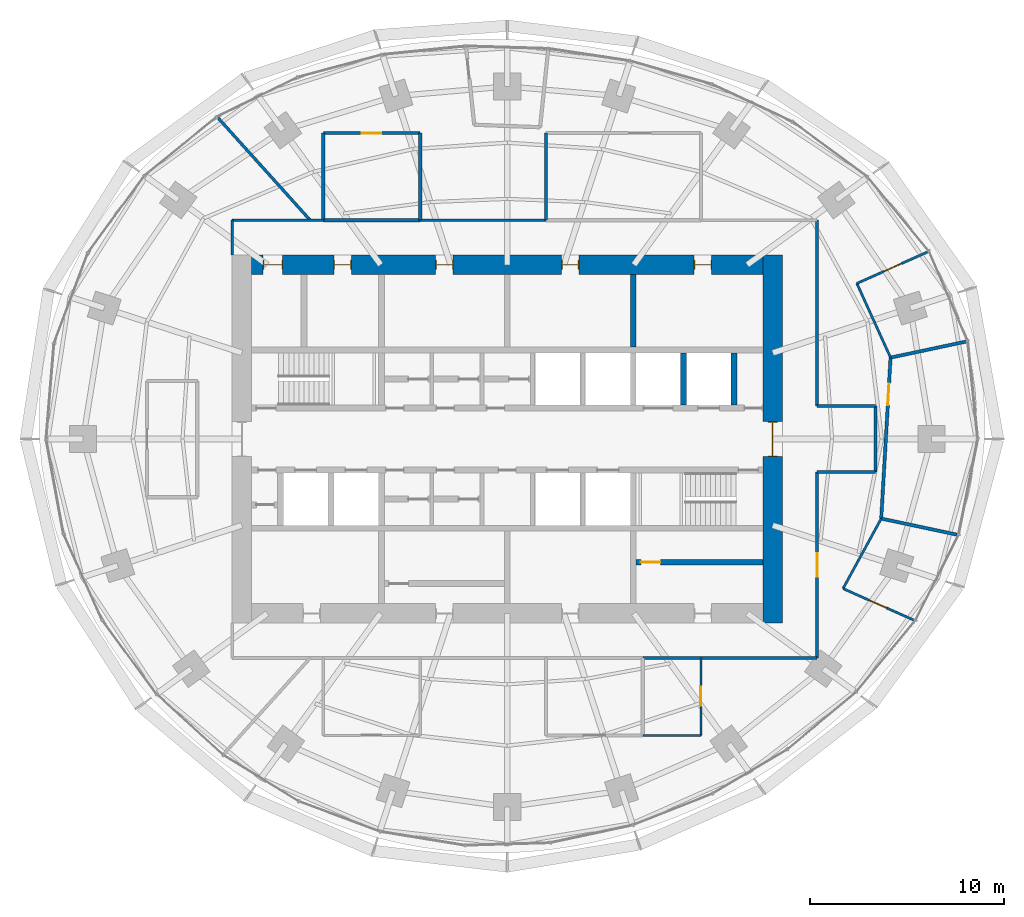
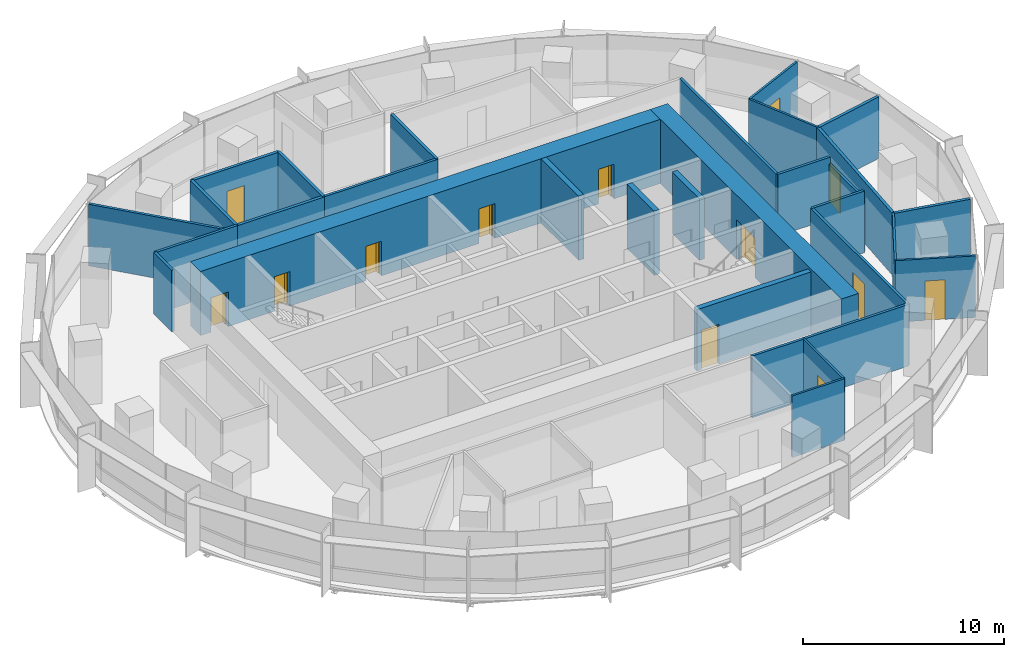
# One storey, part 12 of 15: 30 walls, 13 doors, 13 openings.
"""IFC4 building model written with IfcOpenShell, lengths in metres."""

from ifc_helpers import new_model, si_unit, direction, frame, frame_2d, origin, place, context, subcontext, project, spatial, rectangle, extrude, material, layer, layer_set, type_object, element, fill, save


model = new_model("IFC4")

# Units and contexts
model_context = context("Model", 3, precision=1e-05, world=origin(), true_north=direction((0.0, 1.0)))
body_context = subcontext(model_context, "Body", "Model", "MODEL_VIEW")
ifc_project = project(units=[si_unit("LENGTHUNIT", "METRE"), si_unit("AREAUNIT", "SQUARE_METRE"), si_unit("VOLUMEUNIT", "CUBIC_METRE"), si_unit("PLANEANGLEUNIT", "RADIAN"), si_unit("MASSUNIT", "GRAM", prefix="KILO")], contexts=[model_context])

# Site, building, storey
site_placement = place(None, origin())
site = spatial("IfcSite", under=ifc_project, at=site_placement, CompositionType="ELEMENT")
building_placement = place(site_placement, origin())
building = spatial("IfcBuilding", under=site, at=building_placement, Name="Marramba Exchange Tower", CompositionType="ELEMENT")
storey_placement = place(building_placement, frame((0.0, 0.0, 207.199951171875)))
storey = spatial("IfcBuildingStorey", under=building, at=storey_placement, Name="L50", CompositionType="ELEMENT", Elevation=207.199951171875)

# Wall
ifc_material_1 = material(Name="Plasterboard on staggered double steel studs, acoustic insulation", Category="steel")
ifc_layer_1 = layer(ifc_material_1, 0.169921875)
ifc_layer_set_1 = layer_set([ifc_layer_1], Name="Acoustic partition 170")
wall_type_1 = type_object("IfcWallType", Name="Acoustic partition 170", PredefinedType="PARTITIONING", material=ifc_layer_set_1)
wall_1_placement = place(storey_placement, frame((19.3056640625, -4.103515625, 0.0), z_axis=(0.0, 0.0, 1.0), x_axis=(0.978137903693, -0.207957306576, 0.0)))
element("IfcWall", 1, at=wall_1_placement, inside=storey, type_object=wall_type_1, Name="Acoustic partition L50 18", PredefinedType="PARTITIONING", context=body_context, shape_type="SweptSolid", body=[
    extrude(rectangle(XDim=3.999755859375, YDim=0.169921875, at=frame_2d((2.0, 0.0))), origin(), (0.0, 0.0, 1.0), 3.739990234375),
])

# Wall, opening, door
wall_2_placement = place(storey_placement, frame((19.787841796875, 4.2060546875, 0.0), z_axis=(0.0, 0.0, 1.0), x_axis=(-0.0579293499, -0.998320685161, 0.0)))
wall_2 = element("IfcWall", 2, at=wall_2_placement, inside=storey, type_object=wall_type_1, Name="Acoustic partition L50 21", PredefinedType="PARTITIONING", context=body_context, shape_type="SweptSolid", body=[
    extrude(rectangle(XDim=8.323486328125, YDim=0.169921875, at=frame_2d((4.16162109375, 0.0))), origin(), (0.0, 0.0, 1.0), 3.739990234375),
])
opening_1_placement = place(wall_2_placement, frame((1.35400390625, 0.0, 0.0)))
opening_1 = element("IfcOpeningElement", 3, at=opening_1_placement, cuts=wall_2, Name="Opening D15", PredefinedType="OPENING", context=body_context, shape_type="SweptSolid", body=[
    extrude(rectangle(XDim=1.10009765625, YDim=2.39990234375, at=frame_2d((0.550048828125, 1.199951171875))), frame((0.0, 0.094970703125, 0.0), z_axis=(0.0, -1.0, 0.0), x_axis=(1.0, 0.0, 0.0)), (0.0, 0.0, 1.0), 0.18994140625),
])
ifc_material_2 = material(Name="Timber door", Category="wood")
door_type_1 = type_object("IfcDoorType", Name="Glazed meeting room door 1100x2400", OperationType="SINGLE_SWING_LEFT", PredefinedType="DOOR", material=ifc_material_2)
door_1_placement = place(opening_1_placement, origin())
door_1 = element("IfcDoor", 4, at=door_1_placement, inside=storey, type_object=door_type_1, Name="D15 Meeting Room 1 L50", OperationType="SINGLE_SWING_LEFT", OverallHeight=2.39990234375, OverallWidth=1.10009765625, PredefinedType="DOOR", context=body_context, shape_type="SweptSolid", body=[
    extrude(rectangle(XDim=1.10009765625, YDim=2.39990234375, at=frame_2d((0.550048828125, 1.199951171875))), frame((0.0, 0.02490234375, 0.0), z_axis=(0.0, -1.0, 0.0), x_axis=(1.0, 0.0, 0.0)), (0.0, 0.0, 1.0), 0.050048828125),
])
fill(opening_1, door_1)

# Walls
wall_3_placement = place(storey_placement, frame((23.700439453125, 5.03759765625, 0.0), z_axis=(0.0, 0.0, 1.0), x_axis=(-0.978152955943, -0.207886494942, 0.0)))
element("IfcWall", 5, at=wall_3_placement, inside=storey, type_object=wall_type_1, Name="Acoustic partition L50 23", PredefinedType="PARTITIONING", context=body_context, shape_type="SweptSolid", body=[
    extrude(rectangle(XDim=4.0, YDim=0.169921875, at=frame_2d((2.0, 0.0))), origin(), (0.0, 0.0, 1.0), 3.739990234375),
])
for number, where, z_axis, x_axis, name in (
    (6, (2.0, 15.800048828125, 0.0), (0.0, 0.0, 1.0), (0.0, -1.0, 0.0), "Acoustic partition L50 31"),
    (7, (-4.5, 11.300048828125, 0.0), (0.0, 0.0, 1.0), (0.0, 1.0, 0.0), "Acoustic partition L50 36"),
):
    element("IfcWall", number, at=place(storey_placement, frame(where, z_axis=z_axis, x_axis=x_axis)), inside=storey, type_object=wall_type_1, Name=name, PredefinedType="PARTITIONING", context=body_context, shape_type="SweptSolid", body=[
        extrude(rectangle(XDim=4.5, YDim=0.169921875, at=frame_2d((2.25, 0.0))), origin(), (0.0, 0.0, 1.0), 3.739990234375),
    ])

# Wall, opening, door
wall_4_placement = place(storey_placement, frame((-4.5, 15.800048828125, 0.0), z_axis=(0.0, 0.0, 1.0), x_axis=(-1.0, 0.0, 0.0)))
wall_4 = element("IfcWall", 8, at=wall_4_placement, inside=storey, type_object=wall_type_1, Name="Acoustic partition L50 37", PredefinedType="PARTITIONING", context=body_context, shape_type="SweptSolid", body=[
    extrude(rectangle(XDim=5.0, YDim=0.169921875, at=frame_2d((2.5, 0.0))), origin(), (0.0, 0.0, 1.0), 3.739990234375),
])
opening_2_placement = place(wall_4_placement, frame((2.0, 0.0, 0.0)))
opening_2 = element("IfcOpeningElement", 9, at=opening_2_placement, cuts=wall_4, Name="Opening D9", PredefinedType="OPENING", context=body_context, shape_type="SweptSolid", body=[
    extrude(rectangle(XDim=1.0, YDim=2.39990234375, at=frame_2d((0.5, 1.199951171875))), frame((0.0, 0.094970703125, 0.0), z_axis=(0.0, -1.0, 0.0), x_axis=(1.0, 0.0, 0.0)), (0.0, 0.0, 1.0), 0.18994140625),
])
door_type_2 = type_object("IfcDoorType", Name="Room door 1000x2400", OperationType="SINGLE_SWING_LEFT", PredefinedType="DOOR", material=ifc_material_2)
door_2_placement = place(opening_2_placement, origin())
door_2 = element("IfcDoor", 10, at=door_2_placement, inside=storey, type_object=door_type_2, Name="D9 Interview Room L50", OperationType="SINGLE_SWING_RIGHT", OverallHeight=2.39990234375, OverallWidth=1.0, PredefinedType="DOOR", context=body_context, shape_type="SweptSolid", body=[
    extrude(rectangle(XDim=1.0, YDim=2.39990234375, at=frame_2d((0.5, 1.199951171875))), frame((0.0, 0.02490234375, 0.0), z_axis=(0.0, -1.0, 0.0), x_axis=(1.0, 0.0, 0.0)), (0.0, 0.0, 1.0), 0.050048828125),
])
fill(opening_2, door_2)

# Walls
wall_5_placement = place(storey_placement, frame((-9.5, 11.300048828125, 0.0), z_axis=(0.0, 0.0, 1.0), x_axis=(1.0, 0.0, 0.0)))
element("IfcWall", 11, at=wall_5_placement, inside=storey, type_object=wall_type_1, Name="Acoustic partition L50 38", PredefinedType="PARTITIONING", context=body_context, shape_type="SweptSolid", body=[
    extrude(rectangle(XDim=5.0, YDim=0.169921875, at=frame_2d((2.5, 0.0))), origin(), (0.0, 0.0, 1.0), 3.739990234375),
])
wall_6_placement = place(storey_placement, frame((-9.5, 15.800048828125, 0.0), z_axis=(0.0, 0.0, 1.0), x_axis=(0.0, -1.0, 0.0)))
element("IfcWall", 12, at=wall_6_placement, inside=storey, type_object=wall_type_1, Name="Acoustic partition L50 39", PredefinedType="PARTITIONING", context=body_context, shape_type="SweptSolid", body=[
    extrude(rectangle(XDim=4.5, YDim=0.169921875, at=frame_2d((2.25, 0.0))), origin(), (0.0, 0.0, 1.0), 3.739990234375),
])

# Wall, openings, doors
ifc_material_3 = material(Name="Concrete N50", Category="concrete")
ifc_layer_2 = layer(ifc_material_3, 1.0)
ifc_layer_set_2 = layer_set([ifc_layer_2], Name="Core wall 1000")
wall_type_2 = type_object("IfcWallType", Name="Core wall 1000", PredefinedType="SHEAR", material=ifc_layer_set_2)
wall_7_placement = place(storey_placement, frame((13.199951171875, 9.0, 0.0), z_axis=(0.0, 0.0, 1.0), x_axis=(-1.0, 0.0, 0.0)))
wall_7 = element("IfcWall", 13, at=wall_7_placement, inside=storey, type_object=wall_type_2, Name="Core wall N L50", PredefinedType="SHEAR", context=body_context, shape_type="SweptSolid", body=[
    extrude(rectangle(XDim=26.39990234375, YDim=1.0, at=frame_2d((13.199951171875, 0.0))), origin(), (0.0, 0.0, 1.0), 3.900146484375),
])
opening_3_placement = place(wall_7_placement, frame((2.64990234375, 0.0, 0.0)))
opening_3 = element("IfcOpeningElement", 14, at=opening_3_placement, cuts=wall_7, Name="Opening D5", PredefinedType="OPENING", context=body_context, shape_type="SweptSolid", body=[
    extrude(rectangle(XDim=0.89990234375, YDim=2.10009765625, at=frame_2d((0.449951171875, 1.050048828125))), frame((0.0, 0.510009765625, 0.0), z_axis=(0.0, -1.0, 0.0), x_axis=(1.0, 0.0, 0.0)), (0.0, 0.0, 1.0), 1.02001953125),
])
opening_4_placement = place(wall_7_placement, frame((9.5, 0.0, 0.0)))
opening_4 = element("IfcOpeningElement", 15, at=opening_4_placement, cuts=wall_7, Name="Opening D3", PredefinedType="OPENING", context=body_context, shape_type="SweptSolid", body=[
    extrude(rectangle(XDim=0.89990234375, YDim=2.10009765625, at=frame_2d((0.449951171875, 1.050048828125))), frame((0.0, 0.510009765625, 0.0), z_axis=(0.0, -1.0, 0.0), x_axis=(1.0, 0.0, 0.0)), (0.0, 0.0, 1.0), 1.02001953125),
])
opening_5_placement = place(wall_7_placement, frame((16.0, 0.0, 0.0)))
opening_5 = element("IfcOpeningElement", 16, at=opening_5_placement, cuts=wall_7, Name="Opening D3", PredefinedType="OPENING", context=body_context, shape_type="SweptSolid", body=[
    extrude(rectangle(XDim=0.89990234375, YDim=2.10009765625, at=frame_2d((0.449951171875, 1.050048828125))), frame((0.0, 0.510009765625, 0.0), z_axis=(0.0, -1.0, 0.0), x_axis=(1.0, 0.0, 0.0)), (0.0, 0.0, 1.0), 1.02001953125),
])
opening_6_placement = place(wall_7_placement, frame((21.25, 0.0, 0.0)))
opening_6 = element("IfcOpeningElement", 17, at=opening_6_placement, cuts=wall_7, Name="Opening D5", PredefinedType="OPENING", context=body_context, shape_type="SweptSolid", body=[
    extrude(rectangle(XDim=0.89990234375, YDim=2.10009765625, at=frame_2d((0.449951171875, 1.050048828125))), frame((0.0, 0.510009765625, 0.0), z_axis=(0.0, -1.0, 0.0), x_axis=(1.0, 0.0, 0.0)), (0.0, 0.0, 1.0), 1.02001953125),
])
opening_7_placement = place(wall_7_placement, frame((24.800048828125, 0.0, 0.0)))
opening_7 = element("IfcOpeningElement", 18, at=opening_7_placement, cuts=wall_7, Name="Opening D4", PredefinedType="OPENING", context=body_context, shape_type="SweptSolid", body=[
    extrude(rectangle(XDim=1.0, YDim=2.10009765625, at=frame_2d((0.5, 1.050048828125))), frame((0.0, 0.510009765625, 0.0), z_axis=(0.0, -1.0, 0.0), x_axis=(1.0, 0.0, 0.0)), (0.0, 0.0, 1.0), 1.02001953125),
])
ifc_material_4 = material(Name="Steel-framed door", Category="steel")
door_type_3 = type_object("IfcDoorType", Name="Accessible toilet door 1000x2100", OperationType="SINGLE_SWING_LEFT", PredefinedType="DOOR", material=ifc_material_4)
door_3_placement = place(opening_7_placement, origin())
door_3 = element("IfcDoor", 19, at=door_3_placement, inside=storey, type_object=door_type_3, Name="D4 awc L50", OperationType="SINGLE_SWING_RIGHT", OverallHeight=2.10009765625, OverallWidth=1.0, PredefinedType="DOOR", context=body_context, shape_type="SweptSolid", body=[
    extrude(rectangle(XDim=0.919921875, YDim=2.06005859375, at=frame_2d((0.5, 1.030029296875))), frame((0.0, 0.02490234375, 0.0), z_axis=(0.0, -1.0, 0.0), x_axis=(1.0, 0.0, 0.0)), (0.0, 0.0, 1.0), 0.050048828125),
    extrude(rectangle(XDim=0.04, YDim=2.10009765625, at=frame_2d((0.02001953125, 1.050048828125))), frame((0.0, 0.25, 0.0), z_axis=(0.0, -1.0, 0.0), x_axis=(1.0, 0.0, 0.0)), (0.0, 0.0, 1.0), 0.5),
    extrude(rectangle(XDim=0.04, YDim=2.10009765625, at=frame_2d((0.97998046875, 1.050048828125))), frame((0.0, 0.25, 0.0), z_axis=(0.0, -1.0, 0.0), x_axis=(1.0, 0.0, 0.0)), (0.0, 0.0, 1.0), 0.5),
    extrude(rectangle(XDim=0.919921875, YDim=0.04, at=frame_2d((0.5, 2.080078125))), frame((0.0, 0.25, 0.0), z_axis=(0.0, -1.0, 0.0), x_axis=(1.0, 0.0, 0.0)), (0.0, 0.0, 1.0), 0.5),
])
fill(opening_7, door_3)
door_type_4 = type_object("IfcDoorType", Name="Service door 900x2100", OperationType="SINGLE_SWING_LEFT", PredefinedType="DOOR", material=ifc_material_4)
door_4_placement = place(opening_3_placement, origin())
door_4 = element("IfcDoor", 20, at=door_4_placement, inside=storey, type_object=door_type_4, Name="D5 comms L50", OperationType="SINGLE_SWING_LEFT", OverallHeight=2.10009765625, OverallWidth=0.89990234375, PredefinedType="DOOR", context=body_context, shape_type="SweptSolid", body=[
    extrude(rectangle(XDim=0.81982421875, YDim=2.06005859375, at=frame_2d((0.449951171875, 1.030029296875))), frame((0.0, 0.02490234375, 0.0), z_axis=(0.0, -1.0, 0.0), x_axis=(1.0, 0.0, 0.0)), (0.0, 0.0, 1.0), 0.050048828125),
    extrude(rectangle(XDim=0.04, YDim=2.10009765625, at=frame_2d((0.02001953125, 1.050048828125))), frame((0.0, 0.25, 0.0), z_axis=(0.0, -1.0, 0.0), x_axis=(1.0, 0.0, 0.0)), (0.0, 0.0, 1.0), 0.5),
    extrude(rectangle(XDim=0.04, YDim=2.10009765625, at=frame_2d((0.8798828125, 1.050048828125))), frame((0.0, 0.25, 0.0), z_axis=(0.0, -1.0, 0.0), x_axis=(1.0, 0.0, 0.0)), (0.0, 0.0, 1.0), 0.5),
    extrude(rectangle(XDim=0.81982421875, YDim=0.04, at=frame_2d((0.449951171875, 2.080078125))), frame((0.0, 0.25, 0.0), z_axis=(0.0, -1.0, 0.0), x_axis=(1.0, 0.0, 0.0)), (0.0, 0.0, 1.0), 0.5),
])
fill(opening_3, door_4)
door_5_placement = place(opening_6_placement, origin())
door_5 = element("IfcDoor", 21, at=door_5_placement, inside=storey, type_object=door_type_4, Name="D5 cleaner L50", OperationType="SINGLE_SWING_RIGHT", OverallHeight=2.10009765625, OverallWidth=0.89990234375, PredefinedType="DOOR", context=body_context, shape_type="SweptSolid", body=[
    extrude(rectangle(XDim=0.81982421875, YDim=2.06005859375, at=frame_2d((0.449951171875, 1.030029296875))), frame((0.0, 0.02490234375, 0.0), z_axis=(0.0, -1.0, 0.0), x_axis=(1.0, 0.0, 0.0)), (0.0, 0.0, 1.0), 0.050048828125),
    extrude(rectangle(XDim=0.04, YDim=2.10009765625, at=frame_2d((0.02001953125, 1.050048828125))), frame((0.0, 0.25, 0.0), z_axis=(0.0, -1.0, 0.0), x_axis=(1.0, 0.0, 0.0)), (0.0, 0.0, 1.0), 0.5),
    extrude(rectangle(XDim=0.04, YDim=2.10009765625, at=frame_2d((0.8798828125, 1.050048828125))), frame((0.0, 0.25, 0.0), z_axis=(0.0, -1.0, 0.0), x_axis=(1.0, 0.0, 0.0)), (0.0, 0.0, 1.0), 0.5),
    extrude(rectangle(XDim=0.81982421875, YDim=0.04, at=frame_2d((0.449951171875, 2.080078125))), frame((0.0, 0.25, 0.0), z_axis=(0.0, -1.0, 0.0), x_axis=(1.0, 0.0, 0.0)), (0.0, 0.0, 1.0), 0.5),
])
fill(opening_6, door_5)
door_type_5 = type_object("IfcDoorType", Name="Toilet door 900x2100", OperationType="SINGLE_SWING_LEFT", PredefinedType="DOOR", material=ifc_material_4)
door_6_placement = place(opening_4_placement, origin())
door_6 = element("IfcDoor", 22, at=door_6_placement, inside=storey, type_object=door_type_5, Name="D3 wc-f L50", OperationType="SINGLE_SWING_RIGHT", OverallHeight=2.10009765625, OverallWidth=0.89990234375, PredefinedType="DOOR", context=body_context, shape_type="SweptSolid", body=[
    extrude(rectangle(XDim=0.81982421875, YDim=2.06005859375, at=frame_2d((0.449951171875, 1.030029296875))), frame((0.0, 0.02490234375, 0.0), z_axis=(0.0, -1.0, 0.0), x_axis=(1.0, 0.0, 0.0)), (0.0, 0.0, 1.0), 0.050048828125),
    extrude(rectangle(XDim=0.04, YDim=2.10009765625, at=frame_2d((0.02001953125, 1.050048828125))), frame((0.0, 0.25, 0.0), z_axis=(0.0, -1.0, 0.0), x_axis=(1.0, 0.0, 0.0)), (0.0, 0.0, 1.0), 0.5),
    extrude(rectangle(XDim=0.04, YDim=2.10009765625, at=frame_2d((0.8798828125, 1.050048828125))), frame((0.0, 0.25, 0.0), z_axis=(0.0, -1.0, 0.0), x_axis=(1.0, 0.0, 0.0)), (0.0, 0.0, 1.0), 0.5),
    extrude(rectangle(XDim=0.81982421875, YDim=0.04, at=frame_2d((0.449951171875, 2.080078125))), frame((0.0, 0.25, 0.0), z_axis=(0.0, -1.0, 0.0), x_axis=(1.0, 0.0, 0.0)), (0.0, 0.0, 1.0), 0.5),
])
fill(opening_4, door_6)
door_7_placement = place(opening_5_placement, origin())
door_7 = element("IfcDoor", 23, at=door_7_placement, inside=storey, type_object=door_type_5, Name="D3 wc-m L50", OperationType="SINGLE_SWING_RIGHT", OverallHeight=2.10009765625, OverallWidth=0.89990234375, PredefinedType="DOOR", context=body_context, shape_type="SweptSolid", body=[
    extrude(rectangle(XDim=0.81982421875, YDim=2.06005859375, at=frame_2d((0.449951171875, 1.030029296875))), frame((0.0, 0.02490234375, 0.0), z_axis=(0.0, -1.0, 0.0), x_axis=(1.0, 0.0, 0.0)), (0.0, 0.0, 1.0), 0.050048828125),
    extrude(rectangle(XDim=0.04, YDim=2.10009765625, at=frame_2d((0.02001953125, 1.050048828125))), frame((0.0, 0.25, 0.0), z_axis=(0.0, -1.0, 0.0), x_axis=(1.0, 0.0, 0.0)), (0.0, 0.0, 1.0), 0.5),
    extrude(rectangle(XDim=0.04, YDim=2.10009765625, at=frame_2d((0.8798828125, 1.050048828125))), frame((0.0, 0.25, 0.0), z_axis=(0.0, -1.0, 0.0), x_axis=(1.0, 0.0, 0.0)), (0.0, 0.0, 1.0), 0.5),
    extrude(rectangle(XDim=0.81982421875, YDim=0.04, at=frame_2d((0.449951171875, 2.080078125))), frame((0.0, 0.25, 0.0), z_axis=(0.0, -1.0, 0.0), x_axis=(1.0, 0.0, 0.0)), (0.0, 0.0, 1.0), 0.5),
])
fill(opening_5, door_7)

# Wall, opening, door
wall_8_placement = place(storey_placement, frame((13.699951171875, -9.5, 0.0), z_axis=(0.0, 0.0, 1.0), x_axis=(0.0, 1.0, 0.0)))
wall_8 = element("IfcWall", 24, at=wall_8_placement, inside=storey, type_object=wall_type_2, Name="Core wall E L50", PredefinedType="SHEAR", context=body_context, shape_type="SweptSolid", body=[
    extrude(rectangle(XDim=19.0, YDim=1.0, at=frame_2d((9.5, 0.0))), origin(), (0.0, 0.0, 1.0), 3.900146484375),
])
opening_8_placement = place(wall_8_placement, frame((8.60009765625, 0.0, 0.0)))
opening_8 = element("IfcOpeningElement", 25, at=opening_8_placement, cuts=wall_8, Name="Opening D1", PredefinedType="OPENING", context=body_context, shape_type="SweptSolid", body=[
    extrude(rectangle(XDim=1.800048828125, YDim=2.39990234375, at=frame_2d((0.89990234375, 1.199951171875))), frame((0.0, 0.510009765625, 0.0), z_axis=(0.0, -1.0, 0.0), x_axis=(1.0, 0.0, 0.0)), (0.0, 0.0, 1.0), 1.02001953125),
])
door_type_6 = type_object("IfcDoorType", Name="Lobby exit door 1800x2400", OperationType="DOUBLE_DOOR_SINGLE_SWING", PredefinedType="DOOR", material=ifc_material_4)
door_8_placement = place(opening_8_placement, origin())
door_8 = element("IfcDoor", 26, at=door_8_placement, inside=storey, type_object=door_type_6, Name="D1 lobby exit east L50", OperationType="DOUBLE_DOOR_SINGLE_SWING", OverallHeight=2.39990234375, OverallWidth=1.800048828125, PredefinedType="DOOR", context=body_context, shape_type="SweptSolid", body=[
    extrude(rectangle(XDim=1.719970703125, YDim=2.35986328125, at=frame_2d((0.89990234375, 1.179931640625))), frame((0.0, 0.02490234375, 0.0), z_axis=(0.0, -1.0, 0.0), x_axis=(1.0, 0.0, 0.0)), (0.0, 0.0, 1.0), 0.050048828125),
    extrude(rectangle(XDim=0.04, YDim=2.39990234375, at=frame_2d((0.02001953125, 1.199951171875))), frame((0.0, 0.25, 0.0), z_axis=(0.0, -1.0, 0.0), x_axis=(1.0, 0.0, 0.0)), (0.0, 0.0, 1.0), 0.5),
    extrude(rectangle(XDim=0.04, YDim=2.39990234375, at=frame_2d((1.780029296875, 1.199951171875))), frame((0.0, 0.25, 0.0), z_axis=(0.0, -1.0, 0.0), x_axis=(1.0, 0.0, 0.0)), (0.0, 0.0, 1.0), 0.5),
    extrude(rectangle(XDim=1.719970703125, YDim=0.04, at=frame_2d((0.89990234375, 2.3798828125))), frame((0.0, 0.25, 0.0), z_axis=(0.0, -1.0, 0.0), x_axis=(1.0, 0.0, 0.0)), (0.0, 0.0, 1.0), 0.5),
])
fill(opening_8, door_8)

# Walls
ifc_layer_3 = layer(ifc_material_3, 0.300048828125)
ifc_layer_set_3 = layer_set([ifc_layer_3], Name="Core wall 300")
wall_type_3 = type_object("IfcWallType", Name="Core wall 300", PredefinedType="SHEAR", material=ifc_layer_set_3)
wall_9_placement = place(storey_placement, frame((6.5, 4.75, 0.0), z_axis=(0.0, 0.0, 1.0), x_axis=(0.0, 1.0, 0.0)))
element("IfcWall", 27, at=wall_9_placement, inside=storey, type_object=wall_type_3, Name="Core wall X1Nb L50", PredefinedType="SHEAR", context=body_context, shape_type="SweptSolid", body=[
    extrude(rectangle(XDim=3.75, YDim=0.300048828125, at=frame_2d((1.875, 0.0))), origin(), (0.0, 0.0, 1.0), 3.900146484375),
])
wall_10_placement = place(storey_placement, frame((9.10009765625, 1.75, 0.0), z_axis=(0.0, 0.0, 1.0), x_axis=(0.0, 1.0, 0.0)))
element("IfcWall", 28, at=wall_10_placement, inside=storey, type_object=wall_type_3, Name="Core wall ED L50", PredefinedType="SHEAR", context=body_context, shape_type="SweptSolid", body=[
    extrude(rectangle(XDim=2.699951171875, YDim=0.300048828125, at=frame_2d((1.35009765625, 0.0))), origin(), (0.0, 0.0, 1.0), 3.900146484375),
])
ifc_material_5 = material(Name="Core-filled concrete blockwork", Category="masonry")
ifc_layer_4 = layer(ifc_material_5, 0.300048828125)
ifc_layer_set_4 = layer_set([ifc_layer_4], Name="Lift shaft wall 300")
wall_type_4 = type_object("IfcWallType", Name="Lift shaft wall 300", PredefinedType="SOLIDWALL", material=ifc_layer_set_4)
wall_11_placement = place(storey_placement, frame((11.699951171875, 1.75, 0.0), z_axis=(0.0, 0.0, 1.0), x_axis=(0.0, 1.0, 0.0)))
element("IfcWall", 29, at=wall_11_placement, inside=storey, type_object=wall_type_4, Name="Lift shaft wall E1 L50", PredefinedType="SOLIDWALL", context=body_context, shape_type="SweptSolid", body=[
    extrude(rectangle(XDim=2.699951171875, YDim=0.300048828125, at=frame_2d((1.35009765625, 0.0))), origin(), (0.0, 0.0, 1.0), 3.739990234375),
])
ifc_material_6 = material(Name="Plasterboard on steel studs", Category="steel")
ifc_layer_5 = layer(ifc_material_6, 0.1201171875)
ifc_layer_set_5 = layer_set([ifc_layer_5], Name="Partition 120")
wall_type_5 = type_object("IfcWallType", Name="Partition 120", PredefinedType="PARTITIONING", material=ifc_layer_set_5)
wall_12_placement = place(storey_placement, frame((7.0, -15.300048828125, 0.0), z_axis=(0.0, 0.0, 1.0), x_axis=(1.0, 0.0, 0.0)))
element("IfcWall", 30, at=wall_12_placement, inside=storey, type_object=wall_type_5, Name="Partition L50 12", PredefinedType="PARTITIONING", context=body_context, shape_type="SweptSolid", body=[
    extrude(rectangle(XDim=3.0, YDim=0.1201171875, at=frame_2d((1.5, 0.0))), origin(), (0.0, 0.0, 1.0), 3.739990234375),
])

# Wall, opening, door
wall_13_placement = place(storey_placement, frame((10.0, -15.300048828125, 0.0), z_axis=(0.0, 0.0, 1.0), x_axis=(0.0, 1.0, 0.0)))
wall_13 = element("IfcWall", 31, at=wall_13_placement, inside=storey, type_object=wall_type_5, Name="Partition L50 13", PredefinedType="PARTITIONING", context=body_context, shape_type="SweptSolid", body=[
    extrude(rectangle(XDim=4.0, YDim=0.1201171875, at=frame_2d((2.0, 0.0))), origin(), (0.0, 0.0, 1.0), 3.739990234375),
])
opening_9_placement = place(wall_13_placement, frame((1.52587890625, 0.0, 0.0)))
opening_9 = element("IfcOpeningElement", 32, at=opening_9_placement, cuts=wall_13, Name="Opening D9", PredefinedType="OPENING", context=body_context, shape_type="SweptSolid", body=[
    extrude(rectangle(XDim=1.0, YDim=2.39990234375, at=frame_2d((0.5, 1.199951171875))), frame((0.0, 0.070068359375, 0.0), z_axis=(0.0, -1.0, 0.0), x_axis=(1.0, 0.0, 0.0)), (0.0, 0.0, 1.0), 0.14013671875),
])
door_9_placement = place(opening_9_placement, origin())
door_9 = element("IfcDoor", 33, at=door_9_placement, inside=storey, type_object=door_type_2, Name="D9 Pantry 1 L50", OperationType="SINGLE_SWING_RIGHT", OverallHeight=2.39990234375, OverallWidth=1.0, PredefinedType="DOOR", context=body_context, shape_type="SweptSolid", body=[
    extrude(rectangle(XDim=1.0, YDim=2.39990234375, at=frame_2d((0.5, 1.199951171875))), frame((0.0, 0.02490234375, 0.0), z_axis=(0.0, -1.0, 0.0), x_axis=(1.0, 0.0, 0.0)), (0.0, 0.0, 1.0), 0.050048828125),
])
fill(opening_9, door_9)

wall_14_placement = place(storey_placement, frame((17.334716796875, -7.718017578125, 0.0), z_axis=(0.0, 0.0, 1.0), x_axis=(0.913549606868, -0.406727323635, 0.0)))
wall_14 = element("IfcWall", 34, at=wall_14_placement, inside=storey, type_object=wall_type_5, Name="Partition L50 15", PredefinedType="PARTITIONING", context=body_context, shape_type="SweptSolid", body=[
    extrude(rectangle(XDim=4.0, YDim=0.1201171875, at=frame_2d((2.0, 0.0))), origin(), (0.0, 0.0, 1.0), 3.739990234375),
])
opening_10_placement = place(wall_14_placement, frame((1.47412109375, 0.0, 0.0)))
opening_10 = element("IfcOpeningElement", 35, at=opening_10_placement, cuts=wall_14, Name="Opening D9", PredefinedType="OPENING", context=body_context, shape_type="SweptSolid", body=[
    extrude(rectangle(XDim=1.0, YDim=2.39990234375, at=frame_2d((0.5, 1.199951171875))), frame((0.0, 0.070068359375, 0.0), z_axis=(0.0, -1.0, 0.0), x_axis=(1.0, 0.0, 0.0)), (0.0, 0.0, 1.0), 0.14013671875),
])
door_10_placement = place(opening_10_placement, origin())
door_10 = element("IfcDoor", 36, at=door_10_placement, inside=storey, type_object=door_type_2, Name="D9 Office 2 L50", OperationType="SINGLE_SWING_LEFT", OverallHeight=2.39990234375, OverallWidth=1.0, PredefinedType="DOOR", context=body_context, shape_type="SweptSolid", body=[
    extrude(rectangle(XDim=1.0, YDim=2.39990234375, at=frame_2d((0.5, 1.199951171875))), frame((0.0, 0.02490234375, 0.0), z_axis=(0.0, -1.0, 0.0), x_axis=(1.0, 0.0, 0.0)), (0.0, 0.0, 1.0), 0.050048828125),
])
fill(opening_10, door_10)

# Walls
wall_15_placement = place(storey_placement, frame((19.3056640625, -4.103515625, 0.0), z_axis=(0.0, 0.0, 1.0), x_axis=(-0.478739945202, -0.877956755694, 0.0)))
element("IfcWall", 37, at=wall_15_placement, inside=storey, type_object=wall_type_5, Name="Partition L50 17", PredefinedType="PARTITIONING", context=body_context, shape_type="SweptSolid", body=[
    extrude(rectangle(XDim=4.116943359375, YDim=0.1201171875, at=frame_2d((2.05859375, 0.0))), origin(), (0.0, 0.0, 1.0), 3.739990234375),
])
wall_16_placement = place(storey_placement, frame((18.048828125, 8.035888671875, 0.0), z_axis=(0.0, 0.0, 1.0), x_axis=(0.413444314282, -0.910529405889, 0.0)))
element("IfcWall", 38, at=wall_16_placement, inside=storey, type_object=wall_type_5, Name="Partition L50 24", PredefinedType="PARTITIONING", context=body_context, shape_type="SweptSolid", body=[
    extrude(rectangle(XDim=4.2060546875, YDim=0.1201171875, at=frame_2d((2.10302734375, 0.0))), origin(), (0.0, 0.0, 1.0), 3.739990234375),
])

# Wall, opening, door
wall_17_placement = place(storey_placement, frame((21.702880859375, 9.662841796875, 0.0), z_axis=(0.0, 0.0, 1.0), x_axis=(-0.913539509426, -0.406750002727, 0.0)))
wall_17 = element("IfcWall", 39, at=wall_17_placement, inside=storey, type_object=wall_type_5, Name="Partition L50 26", PredefinedType="PARTITIONING", context=body_context, shape_type="SweptSolid", body=[
    extrude(rectangle(XDim=4.0, YDim=0.1201171875, at=frame_2d((2.0, 0.0))), origin(), (0.0, 0.0, 1.0), 3.739990234375),
])
opening_11_placement = place(wall_17_placement, frame((1.47412109375, 0.0, 0.0)))
opening_11 = element("IfcOpeningElement", 40, at=opening_11_placement, cuts=wall_17, Name="Opening D9", PredefinedType="OPENING", context=body_context, shape_type="SweptSolid", body=[
    extrude(rectangle(XDim=1.0, YDim=2.39990234375, at=frame_2d((0.5, 1.199951171875))), frame((0.0, 0.070068359375, 0.0), z_axis=(0.0, -1.0, 0.0), x_axis=(1.0, 0.0, 0.0)), (0.0, 0.0, 1.0), 0.14013671875),
])
door_11_placement = place(opening_11_placement, origin())
door_11 = element("IfcDoor", 41, at=door_11_placement, inside=storey, type_object=door_type_2, Name="D9 Office 1 L50", OperationType="SINGLE_SWING_RIGHT", OverallHeight=2.39990234375, OverallWidth=1.0, PredefinedType="DOOR", context=body_context, shape_type="SweptSolid", body=[
    extrude(rectangle(XDim=1.0, YDim=2.39990234375, at=frame_2d((0.5, 1.199951171875))), frame((0.0, 0.02490234375, 0.0), z_axis=(0.0, -1.0, 0.0), x_axis=(1.0, 0.0, 0.0)), (0.0, 0.0, 1.0), 0.050048828125),
])
fill(opening_11, door_11)

ifc_material_7 = material(Name="Plasterboard on steel studs, insulated, unrated", Category="steel")
ifc_layer_6 = layer(ifc_material_7, 0.300048828125)
ifc_layer_set_6 = layer_set([ifc_layer_6], Name="Store partition 300")
wall_type_6 = type_object("IfcWallType", Name="Store partition 300", PredefinedType="PARTITIONING", material=ifc_layer_set_6)
wall_18_placement = place(storey_placement, frame((6.64990234375, -6.360107421875, 0.0), z_axis=(0.0, 0.0, 1.0), x_axis=(1.0, 0.0, 0.0)))
wall_18 = element("IfcWall", 42, at=wall_18_placement, inside=storey, type_object=wall_type_6, Name="Store partition L50 cstore", PredefinedType="PARTITIONING", context=body_context, shape_type="SweptSolid", body=[
    extrude(rectangle(XDim=6.550048828125, YDim=0.300048828125, at=frame_2d((3.27490234375, 0.0))), origin(), (0.0, 0.0, 1.0), 3.739990234375),
])
opening_12_placement = place(wall_18_placement, frame((0.25, 0.0, 0.0)))
opening_12 = element("IfcOpeningElement", 43, at=opening_12_placement, cuts=wall_18, Name="Opening D9", PredefinedType="OPENING", context=body_context, shape_type="SweptSolid", body=[
    extrude(rectangle(XDim=1.0, YDim=2.39990234375, at=frame_2d((0.5, 1.199951171875))), frame((0.0, 0.159912109375, 0.0), z_axis=(0.0, -1.0, 0.0), x_axis=(1.0, 0.0, 0.0)), (0.0, 0.0, 1.0), 0.320068359375),
])
door_12_placement = place(opening_12_placement, origin())
door_12 = element("IfcDoor", 44, at=door_12_placement, inside=storey, type_object=door_type_2, Name="D9 general store L50", OperationType="SINGLE_SWING_LEFT", OverallHeight=2.39990234375, OverallWidth=1.0, PredefinedType="DOOR", context=body_context, shape_type="SweptSolid", body=[
    extrude(rectangle(XDim=1.0, YDim=2.39990234375, at=frame_2d((0.5, 1.199951171875))), frame((0.0, 0.02490234375, 0.0), z_axis=(0.0, -1.0, 0.0), x_axis=(1.0, 0.0, 0.0)), (0.0, 0.0, 1.0), 0.050048828125),
])
fill(opening_12, door_12)

# Wall
ifc_material_8 = material(Name="Fire-rated plasterboard on steel studs, acoustic insulation", Category="steel")
ifc_layer_7 = layer(ifc_material_8, 0.14990234375)
ifc_layer_set_7 = layer_set([ifc_layer_7], Name="Tenancy wall 150")
wall_type_7 = type_object("IfcWallType", Name="Tenancy wall 150", PredefinedType="PARTITIONING", material=ifc_layer_set_7)
wall_19_placement = place(storey_placement, frame((7.0, -11.300048828125, 0.0), z_axis=(0.0, 0.0, 1.0), x_axis=(1.0, 0.0, 0.0)))
element("IfcWall", 45, at=wall_19_placement, inside=storey, type_object=wall_type_7, Name="Tenancy wall L50 14", PredefinedType="PARTITIONING", context=body_context, shape_type="SweptSolid", body=[
    extrude(rectangle(XDim=9.0, YDim=0.14990234375, at=frame_2d((4.5, 0.0))), origin(), (0.0, 0.0, 1.0), 3.739990234375),
])

# Wall, opening, door
wall_20_placement = place(storey_placement, frame((16.0, -11.300048828125, 0.0), z_axis=(0.0, 0.0, 1.0), x_axis=(0.0, 1.0, 0.0)))
wall_20 = element("IfcWall", 46, at=wall_20_placement, inside=storey, type_object=wall_type_7, Name="Tenancy wall L50 16", PredefinedType="PARTITIONING", context=body_context, shape_type="SweptSolid", body=[
    extrude(rectangle(XDim=9.60009765625, YDim=0.14990234375, at=frame_2d((4.800048828125, 0.0))), origin(), (0.0, 0.0, 1.0), 3.739990234375),
])
opening_13_placement = place(wall_20_placement, frame((4.199951171875, 0.0, 0.0)))
opening_13 = element("IfcOpeningElement", 47, at=opening_13_placement, cuts=wall_20, Name="Opening D13", PredefinedType="OPENING", context=body_context, shape_type="SweptSolid", body=[
    extrude(rectangle(XDim=1.199951171875, YDim=2.39990234375, at=frame_2d((0.60009765625, 1.199951171875))), frame((0.0, 0.0849609375, 0.0), z_axis=(0.0, -1.0, 0.0), x_axis=(1.0, 0.0, 0.0)), (0.0, 0.0, 1.0), 0.169921875),
])
door_type_7 = type_object("IfcDoorType", Name="Tenancy entry door 1200x2400", OperationType="SINGLE_SWING_LEFT", PredefinedType="DOOR", material=ifc_material_4)
door_13_placement = place(opening_13_placement, origin())
door_13 = element("IfcDoor", 48, at=door_13_placement, inside=storey, type_object=door_type_7, Name="D13 Office 1 L50", OperationType="SINGLE_SWING_LEFT", OverallHeight=2.39990234375, OverallWidth=1.199951171875, PredefinedType="DOOR", context=body_context, shape_type="SweptSolid", body=[
    extrude(rectangle(XDim=1.199951171875, YDim=2.39990234375, at=frame_2d((0.60009765625, 1.199951171875))), frame((0.0, 0.02490234375, 0.0), z_axis=(0.0, -1.0, 0.0), x_axis=(1.0, 0.0, 0.0)), (0.0, 0.0, 1.0), 0.050048828125),
])
fill(opening_13, door_13)

# Walls
wall_21_placement = place(storey_placement, frame((16.0, -1.699951171875, 0.0), z_axis=(0.0, 0.0, 1.0), x_axis=(1.0, 0.0, 0.0)))
element("IfcWall", 49, at=wall_21_placement, inside=storey, type_object=wall_type_7, Name="Tenancy wall L50 19", PredefinedType="PARTITIONING", context=body_context, shape_type="SweptSolid", body=[
    extrude(rectangle(XDim=3.0, YDim=0.14990234375, at=frame_2d((1.5, 0.0))), origin(), (0.0, 0.0, 1.0), 3.739990234375),
])
wall_22_placement = place(storey_placement, frame((19.0, -1.699951171875, 0.0), z_axis=(0.0, 0.0, 1.0), x_axis=(0.0, 1.0, 0.0)))
element("IfcWall", 50, at=wall_22_placement, inside=storey, type_object=wall_type_7, Name="Tenancy wall L50 20", PredefinedType="PARTITIONING", context=body_context, shape_type="SweptSolid", body=[
    extrude(rectangle(XDim=3.39990234375, YDim=0.14990234375, at=frame_2d((1.699951171875, 0.0))), origin(), (0.0, 0.0, 1.0), 3.333984375),
])
wall_23_placement = place(storey_placement, frame((19.0, 1.699951171875, 0.0), z_axis=(0.0, 0.0, 1.0), x_axis=(-1.0, 0.0, 0.0)))
element("IfcWall", 51, at=wall_23_placement, inside=storey, type_object=wall_type_7, Name="Tenancy wall L50 22", PredefinedType="PARTITIONING", context=body_context, shape_type="SweptSolid", body=[
    extrude(rectangle(XDim=3.0, YDim=0.14990234375, at=frame_2d((1.5, 0.0))), origin(), (0.0, 0.0, 1.0), 3.739990234375),
])
wall_24_placement = place(storey_placement, frame((16.0, 1.699951171875, 0.0), z_axis=(0.0, 0.0, 1.0), x_axis=(0.0, 1.0, 0.0)))
element("IfcWall", 52, at=wall_24_placement, inside=storey, type_object=wall_type_7, Name="Tenancy wall L50 25", PredefinedType="PARTITIONING", context=body_context, shape_type="SweptSolid", body=[
    extrude(rectangle(XDim=9.60009765625, YDim=0.14990234375, at=frame_2d((4.800048828125, 0.0))), origin(), (0.0, 0.0, 1.0), 3.739990234375),
])
wall_25_placement = place(storey_placement, frame((2.0, 11.300048828125, 0.0), z_axis=(0.0, 0.0, 1.0), x_axis=(-1.0, 0.0, 0.0)))
element("IfcWall", 53, at=wall_25_placement, inside=storey, type_object=wall_type_7, Name="Tenancy wall L50 35", PredefinedType="PARTITIONING", context=body_context, shape_type="SweptSolid", body=[
    extrude(rectangle(XDim=6.5, YDim=0.14990234375, at=frame_2d((3.25, 0.0))), origin(), (0.0, 0.0, 1.0), 3.739990234375),
])
wall_26_placement = place(storey_placement, frame((-10.174560546875, 11.300048828125, 0.0), z_axis=(0.0, 0.0, 1.0), x_axis=(-0.669133581883, 0.743142146293, 0.0)))
element("IfcWall", 54, at=wall_26_placement, inside=storey, type_object=wall_type_7, Name="Tenancy wall L50 40", PredefinedType="PARTITIONING", context=body_context, shape_type="SweptSolid", body=[
    extrude(rectangle(XDim=7.10888671875, YDim=0.14990234375, at=frame_2d((3.554443359375, 0.0))), origin(), (0.0, 0.0, 1.0), 3.739990234375),
])
wall_27_placement = place(storey_placement, frame((-9.5, 11.300048828125, 0.0), z_axis=(0.0, 0.0, 1.0), x_axis=(-1.0, 0.0, 0.0)))
element("IfcWall", 55, at=wall_27_placement, inside=storey, type_object=wall_type_7, Name="Tenancy wall L50 41", PredefinedType="PARTITIONING", context=body_context, shape_type="SweptSolid", body=[
    extrude(rectangle(XDim=4.699951171875, YDim=0.14990234375, at=frame_2d((2.35009765625, 0.0))), origin(), (0.0, 0.0, 1.0), 3.739990234375),
])
wall_28_placement = place(storey_placement, frame((-14.199951171875, 11.300048828125, 0.0), z_axis=(0.0, 0.0, 1.0), x_axis=(0.0, -1.0, 0.0)))
element("IfcWall", 56, at=wall_28_placement, inside=storey, type_object=wall_type_7, Name="Tenancy wall L50 42", PredefinedType="PARTITIONING", context=body_context, shape_type="SweptSolid", body=[
    extrude(rectangle(XDim=1.800048828125, YDim=0.14990234375, at=frame_2d((0.89990234375, 0.0))), origin(), (0.0, 0.0, 1.0), 3.739990234375),
])

save(model, "model.ifc")
